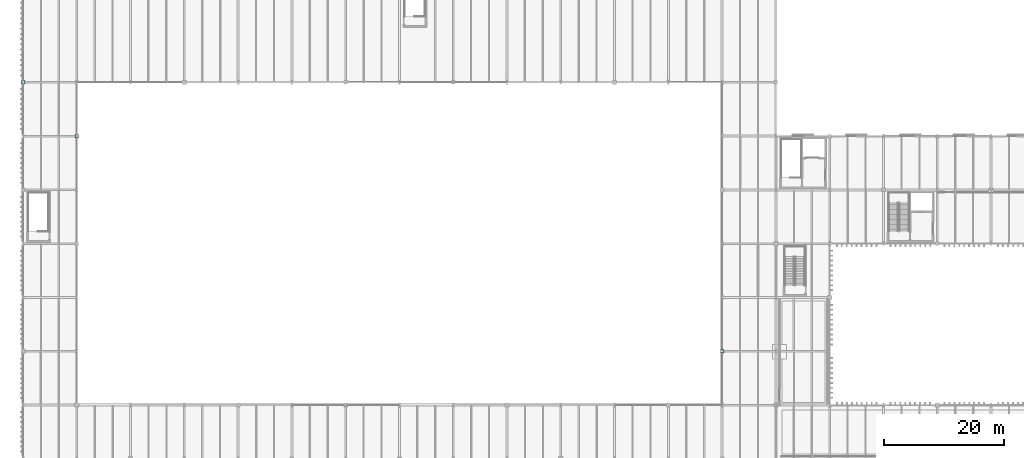
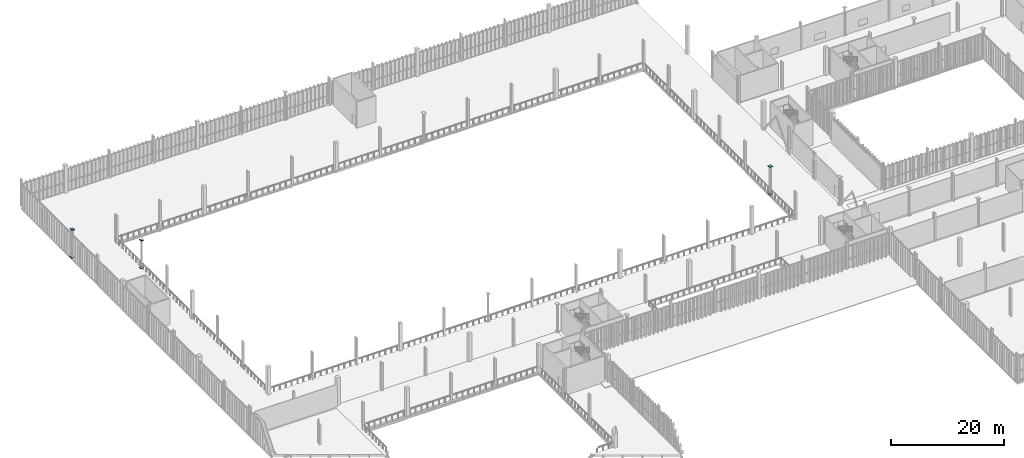
# One storey, part 172 of 211: 6 plates.
"""IFC4 building model written with IfcOpenShell, lengths in metres."""

from ifc_helpers import new_model, si_unit, direction, frame, origin, origin_2d, place, context, subcontext, project, spatial, rectangle, extrude, material, layer, layer_set, type_object, element, save


model = new_model("IFC4")

# Units and contexts
model_context = context("Model", 3, precision=1e-05, world=origin(), true_north=direction((0.0, 1.0)))
body_context = subcontext(model_context, "Body", "Model", "MODEL_VIEW")
ifc_project = project(units=[si_unit("LENGTHUNIT", "METRE"), si_unit("AREAUNIT", "SQUARE_METRE"), si_unit("VOLUMEUNIT", "CUBIC_METRE"), si_unit("PLANEANGLEUNIT", "RADIAN"), si_unit("MASSUNIT", "GRAM", prefix="KILO")], contexts=[model_context])

# Site, building, storey
site_placement = place(None, origin())
site = spatial("IfcSite", under=ifc_project, at=site_placement, CompositionType="ELEMENT")
building_placement = place(site_placement, origin())
building = spatial("IfcBuilding", under=site, at=building_placement, Name="Barlavento Convention Centre", CompositionType="ELEMENT")
storey_placement = place(building_placement, frame((0.0, 0.0, 6.0)))
storey = spatial("IfcBuildingStorey", under=building, at=storey_placement, Name="L01", CompositionType="ELEMENT", Elevation=6.0)

# Plates
ifc_material = material(Name="Steel S355", Category="steel")
ifc_layer = layer(ifc_material, 0.06005859375)
ifc_layer_set = layer_set([ifc_layer], Name="STR-PLT-CAP-620")
plate_type = type_object("IfcPlateType", Name="STR-PLT-CAP-620", PredefinedType="SHEET", material=ifc_layer_set)
for number, where, z_axis, x_axis, name in (
    (1, (0.0, 117.0, 5.969970703125), (0.0, 0.0, 1.0), (1.0, 0.0, 0.0), "Hollow column sealing end-cap plate EC04"),
    (2, (0.0, 117.0, -0.030029296875), (0.0, 0.0, 1.0), (1.0, 0.0, 0.0), "Hollow column sealing end-cap plate EC04"),
    (3, (9.0, 108.0, 5.969970703125), (0.0, 0.0, 1.0), (1.0, 0.0, 0.0), "Hollow column sealing end-cap plate EC04"),
    (4, (9.0, 108.0, -0.030029296875), (0.0, 0.0, 1.0), (1.0, 0.0, 0.0), "Hollow column sealing end-cap plate EC04"),
    (5, (117.0, 72.0, 5.969970703125), (0.0, 0.0, 1.0), (1.0, 0.0, 0.0), "Hollow column sealing end-cap plate EC04"),
    (6, (117.0, 72.0, -0.030029296875), (0.0, 0.0, 1.0), (1.0, 0.0, 0.0), "Hollow column sealing end-cap plate EC04"),
):
    element("IfcPlate", number, at=place(storey_placement, frame(where, z_axis=z_axis, x_axis=x_axis)), inside=storey, type_object=plate_type, Name=name, PredefinedType="SHEET", context=body_context, shape_type="SweptSolid", body=[
        extrude(rectangle(XDim=0.6201171875, YDim=0.6201171875, at=origin_2d()), origin(), (0.0, 0.0, 1.0), 0.06005859375),
    ])

save(model, "model.ifc")
